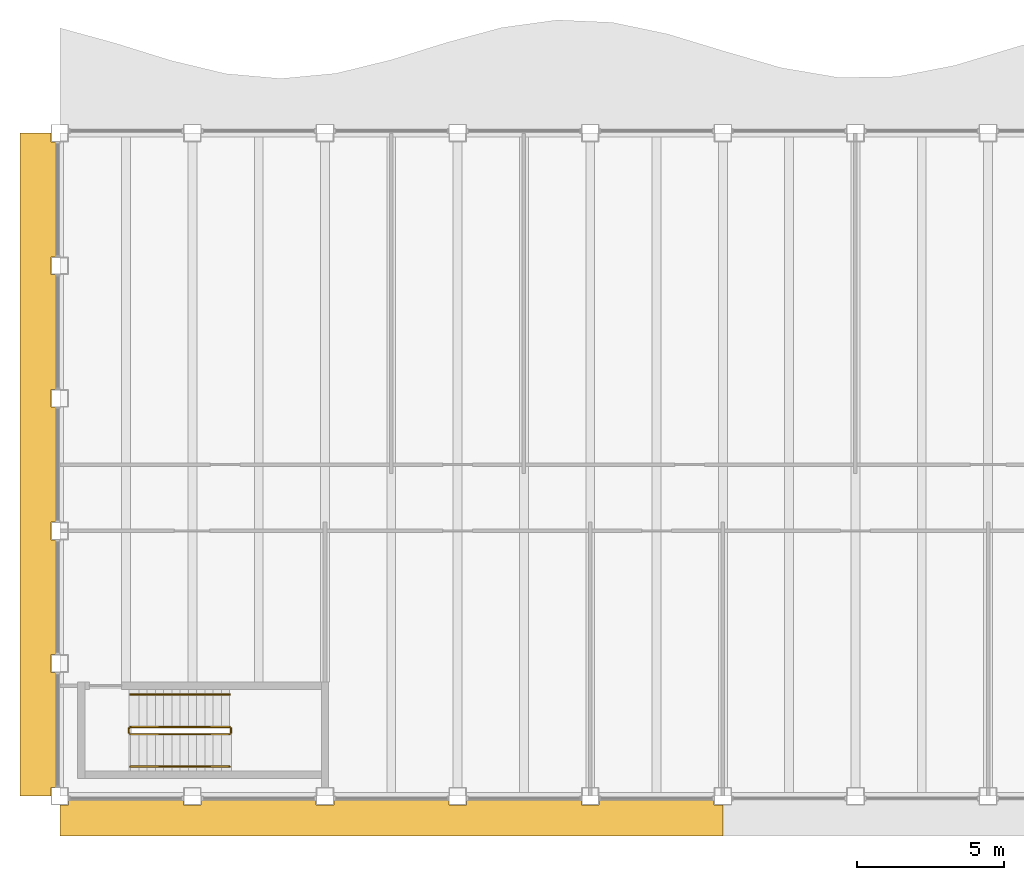
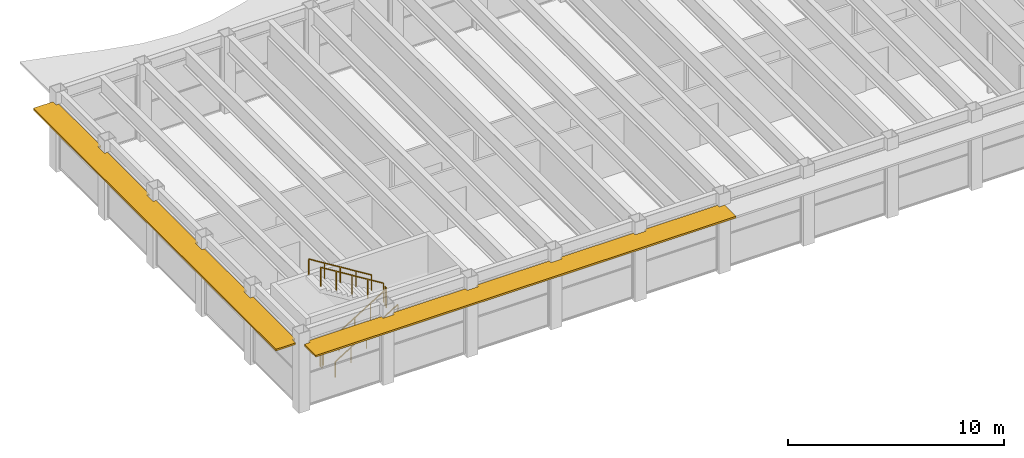
# One storey, part 12 of 14: 6 railings, 2 shading devices.
"""IFC4 building model written with IfcOpenShell, lengths in metres."""

import ifcopenshell
import ifcopenshell.guid

model = None  # the IFC model being written
_history = None  # IfcOwnerHistory: only IFC2X3 demands one
_inside = {}  # id of a spatial element -> (the spatial element, [elements in it])
_under = {}  # id of a project, library or spatial element -> (it, [spatial elements below it])
_declared = {}  # id of a project -> (the project, [libraries it declares])
_typed = {}  # id of a type object -> (the type object, [elements of that type])
_made_of = {}  # id of a material, layer set ... -> (it, [elements and type objects made of it])


def new_model(schema):
    """Start an empty IFC model of exactly this schema.

    Asked for "IFC4X3", IfcOpenShell would pick the latest addendum, in which some entities
    have other attributes; the version numbers below select the first issue.
    IFC2X3 requires an IfcOwnerHistory on every rooted entity: one is made here for all.
    """
    global model, _history
    if schema == "IFC4X3":
        model = ifcopenshell.file(schema_version=(4, 3, 0, 0))
    else:
        model = ifcopenshell.file(schema=schema)
    _inside.clear()
    _under.clear()
    _declared.clear()
    _typed.clear()
    _made_of.clear()
    _history = None
    if model.schema == "IFC2X3":
        org = make("IfcOrganization", Name="unknown")
        user = make(
            "IfcPersonAndOrganization",
            ThePerson=make("IfcPerson", FamilyName="unknown"),
            TheOrganization=org,
        )
        app = make(
            "IfcApplication",
            ApplicationDeveloper=org,
            Version="unknown",
            ApplicationFullName="unknown",
            ApplicationIdentifier="unknown",
        )
        _history = make(
            "IfcOwnerHistory",
            OwningUser=user,
            OwningApplication=app,
            ChangeAction="ADDED",
            CreationDate=0,
        )
    return model


def make(cls, **values):
    """One entity of the class cls with the attributes given. An attribute that is None is left unset."""
    return model.create_entity(
        cls, **{name: value for name, value in values.items() if value is not None}
    )


def rooted(cls, **values):
    """An entity with a GlobalId (a new one), such as an element, a storey or a relation."""
    return make(cls, GlobalId=ifcopenshell.guid.new(), OwnerHistory=_history, **values)


def si_unit(unit_type, name, prefix=None):
    """IfcSIUnit, for example si_unit("LENGTHUNIT", "METRE", prefix="MILLI")."""
    return make("IfcSIUnit", UnitType=unit_type, Prefix=prefix, Name=name)


def assignment(units):
    """IfcUnitAssignment: the units of a project."""
    return None if units is None else make("IfcUnitAssignment", Units=units)


def point(xyz):
    """IfcCartesianPoint."""
    return None if xyz is None else make("IfcCartesianPoint", Coordinates=xyz)


def direction(xyz):
    """IfcDirection."""
    return None if xyz is None else make("IfcDirection", DirectionRatios=xyz)


def frame(location, z_axis=None, x_axis=None):
    """IfcAxis2Placement3D, a coordinate frame: its origin and axes. An axis left out is left unset."""
    return make(
        "IfcAxis2Placement3D",
        Location=point(location),
        Axis=direction(z_axis),
        RefDirection=direction(x_axis),
    )


def frame_2d(location, x_axis=None):
    """IfcAxis2Placement2D, a coordinate frame in the plane: its origin and x axis."""
    return make(
        "IfcAxis2Placement2D", Location=point(location), RefDirection=direction(x_axis)
    )


def origin():
    """The frame at (0, 0, 0) with its axes left unset."""
    return frame((0.0, 0.0, 0.0))


def origin_2d():
    """The frame at (0, 0) in the plane with its x axis left unset."""
    return frame_2d((0.0, 0.0))


def place(relative_to, where):
    """IfcLocalPlacement: puts the frame where relative to a parent placement (None: the world)."""
    return make(
        "IfcLocalPlacement", PlacementRelTo=relative_to, RelativePlacement=where
    )


def context(
    kind, dimensions, precision=None, world=None, true_north=None, identifier=None
):
    """IfcGeometricRepresentationContext, for example the 3D "Model" context."""
    return make(
        "IfcGeometricRepresentationContext",
        ContextIdentifier=identifier,
        ContextType=kind,
        CoordinateSpaceDimension=dimensions,
        Precision=precision,
        WorldCoordinateSystem=world,
        TrueNorth=true_north,
    )


def subcontext(parent, identifier, kind, view, scale=None):
    """IfcGeometricRepresentationSubContext, for example "Body" below "Model"."""
    return make(
        "IfcGeometricRepresentationSubContext",
        ContextIdentifier=identifier,
        ContextType=kind,
        ParentContext=parent,
        TargetScale=scale,
        TargetView=view,
    )


def project(units=None, contexts=None):
    """IfcProject with its units and contexts."""
    return rooted(
        "IfcProject",
        Name="project",
        RepresentationContexts=contexts,
        UnitsInContext=assignment(units),
    )


def spatial(cls, under=None, at=None, **own):
    """A site, building, storey or space (cls), placed at a placement, below another one or the project."""
    s = rooted(cls, ObjectPlacement=at, **own)
    if under is not None:
        _under.setdefault(under.id(), (under, []))[1].append(s)
    return s


def polyline(points):
    """IfcPolyline through the points."""
    return make("IfcPolyline", Points=[point(p) for p in points])


def profile(cls, at=None, kind="AREA", **sizes):
    """A parametric profile (cls). Its sizes go by their IFC names, for example OverallWidth=200.0."""
    return make(cls, ProfileType=kind, Position=at, **sizes)


def rectangle(**sizes):
    """IfcRectangleProfileDef."""
    return profile("IfcRectangleProfileDef", **sizes)


def outline(outer, holes=None, kind="AREA"):
    """IfcArbitraryClosedProfileDef: a profile drawn as a closed curve; with holes, ...WithVoids."""
    if holes is None:
        return make("IfcArbitraryClosedProfileDef", ProfileType=kind, OuterCurve=outer)
    return make(
        "IfcArbitraryProfileDefWithVoids",
        ProfileType=kind,
        OuterCurve=outer,
        InnerCurves=holes,
    )


def extrude(swept, where, along, depth):
    """IfcExtrudedAreaSolid: the profile swept, set in the frame where, extruded along a direction by depth."""
    return make(
        "IfcExtrudedAreaSolid",
        SweptArea=swept,
        Position=where,
        ExtrudedDirection=direction(along),
        Depth=depth,
    )


def shape(context_of_items, identifier, shape_type, items):
    """IfcShapeRepresentation: the items that make up one representation, for example the "Body"."""
    return make(
        "IfcShapeRepresentation",
        ContextOfItems=context_of_items,
        RepresentationIdentifier=identifier,
        RepresentationType=shape_type,
        Items=items,
    )


def material(Name=None, Category=None):
    """IfcMaterial."""
    return make("IfcMaterial", Name=Name, Category=Category)


def layer(
    of_material, thickness, ventilated=None, Name=None, Category=None, Priority=None
):
    """IfcMaterialLayer: one layer of a wall or slab, of a material (None: an air gap)."""
    return make(
        "IfcMaterialLayer",
        Material=of_material,
        LayerThickness=thickness,
        IsVentilated=ventilated,
        Name=Name,
        Category=Category,
        Priority=Priority,
    )


def layer_set(layers, Name=None):
    """IfcMaterialLayerSet."""
    return make("IfcMaterialLayerSet", MaterialLayers=layers, LayerSetName=Name)


def made_of(thing, what):
    """Note that an element or type object is made of a material, layer set ...; save() writes the relation."""
    if what is not None:
        _made_of.setdefault(what.id(), (what, []))[1].append(thing)
    return thing


def type_object(cls, material=None, **own):
    """A type object (cls), such as IfcWallType, which elements share."""
    return made_of(rooted(cls, **own), material)


def element(
    cls,
    number,
    at=None,
    inside=None,
    cuts=None,
    type_object=None,
    material=None,
    context=None,
    identifier="Body",
    shape_type=None,
    held_by="IfcProductDefinitionShape",
    body=None,
    shapes=None,
    **own,
):
    """One element of the class cls, such as IfcWall. Its Tag is "e" and its number.

    at: its placement. inside: the storey or other place that contains it. cuts: it is an
    opening in that element (IfcRelVoidsElement). A single representation is given by context,
    identifier, shape_type and body (its items); several are given by shapes. held_by: the class
    of the entity that holds the representations. save() writes the other relations.
    """
    e = rooted(cls, Tag="e%d" % number, ObjectPlacement=at, **own)
    if body is not None:
        shapes = [shape(context, identifier, shape_type, body)]
    if shapes is not None:
        e.Representation = make(held_by, Representations=shapes)
    if inside is not None:
        _inside.setdefault(inside.id(), (inside, []))[1].append(e)
    if cuts is not None:
        rooted(
            "IfcRelVoidsElement", RelatingBuildingElement=cuts, RelatedOpeningElement=e
        )
    if type_object is not None:
        _typed.setdefault(type_object.id(), (type_object, []))[1].append(e)
    return made_of(e, material)


def aggregate(whole, parts):
    """IfcRelAggregates: a whole, such as a stair, and the parts it consists of."""
    return rooted("IfcRelAggregates", RelatingObject=whole, RelatedObjects=parts)


def save(model, path):
    """Write the relations noted so far, then the file.

    IfcRelAggregates (storeys below a building ...), IfcRelContainedInSpatialStructure (elements
    in a storey), IfcRelDefinesByType, IfcRelAssociatesMaterial and IfcRelDeclares: one each for
    every whole, place, type object, material and project.
    """
    for whole, parts in _under.values():
        aggregate(whole, parts)
    for where, things in _inside.values():
        rooted(
            "IfcRelContainedInSpatialStructure",
            RelatedElements=things,
            RelatingStructure=where,
        )
    for kind, things in _typed.values():
        rooted("IfcRelDefinesByType", RelatedObjects=things, RelatingType=kind)
    for what, things in _made_of.values():
        rooted("IfcRelAssociatesMaterial", RelatedObjects=things, RelatingMaterial=what)
    for by, libraries in _declared.values():
        rooted("IfcRelDeclares", RelatingContext=by, RelatedDefinitions=libraries)
    model.write(path)


model = new_model("IFC4")

# Units and contexts
model_context = context("Model", 3, precision=1e-05, world=origin(), true_north=direction((0.0, 1.0)))
body_context = subcontext(model_context, "Body", "Model", "MODEL_VIEW")
ifc_project = project(units=[si_unit("LENGTHUNIT", "METRE"), si_unit("AREAUNIT", "SQUARE_METRE"), si_unit("VOLUMEUNIT", "CUBIC_METRE"), si_unit("PLANEANGLEUNIT", "RADIAN"), si_unit("MASSUNIT", "GRAM", prefix="KILO")], contexts=[model_context])

# Site, building, storey
site_placement = place(None, origin())
site = spatial("IfcSite", under=ifc_project, at=site_placement, CompositionType="ELEMENT")
building_placement = place(site_placement, origin())
building = spatial("IfcBuilding", under=site, at=building_placement, Name="Sennacour Bend Tower", CompositionType="ELEMENT")
storey_placement = place(building_placement, frame((0.0, 0.0, 314.0)))
storey = spatial("IfcBuildingStorey", under=building, at=storey_placement, Name="L72", CompositionType="ELEMENT", Elevation=314.0)

# Railings
ifc_material_1 = material(Name="Stainless steel", Category="steel")
railing_type_1 = type_object("IfcRailingType", Name="RL-GUARD-1100", PredefinedType="GUARDRAIL", material=ifc_material_1)
railing_1_placement = place(storey_placement, frame((2.39990234375, 2.10009765625, 0.173095703125)))
element("IfcRailing", 1, at=railing_1_placement, inside=storey, type_object=railing_type_1, Name="L72 SK1 stair guard 1", PredefinedType="GUARDRAIL", context=body_context, shape_type="SweptSolid", body=[
    extrude(rectangle(XDim=0.048095703125, YDim=0.048095703125, at=origin_2d()), frame((0.0, 0.0, 1.076171875), z_axis=(0.850623216509, 0.0, 0.525775754039), x_axis=(0.0, 1.0, 0.0)), (0.0, 0.0, 1.0), 3.9501953125),
    extrude(rectangle(XDim=0.0419921875, YDim=0.0419921875, at=origin_2d()), origin(), (0.0, 0.0, 1.0), 1.052001953125),
    extrude(rectangle(XDim=0.0419921875, YDim=0.0419921875, at=origin_2d()), frame((0.840087890625, 0.0, 0.519287109375)), (0.0, 0.0, 1.0), 1.052001953125),
    extrude(rectangle(XDim=0.0419921875, YDim=0.0419921875, at=origin_2d()), frame((1.68017578125, 0.0, 1.03857421875)), (0.0, 0.0, 1.0), 1.052001953125),
    extrude(rectangle(XDim=0.0419921875, YDim=0.0419921875, at=origin_2d()), frame((2.52001953125, 0.0, 1.5576171875)), (0.0, 0.0, 1.0), 1.052001953125),
    extrude(rectangle(XDim=0.0419921875, YDim=0.0419921875, at=origin_2d()), frame((3.360107421875, 0.0, 2.076904296875)), (0.0, 0.0, 1.0), 1.052001953125),
])
railing_2_placement = place(storey_placement, frame((5.81005859375, 2.14990234375, 2.25)))
element("IfcRailing", 2, at=railing_2_placement, inside=storey, type_object=railing_type_1, Name="L72 SK1 stair guard 2", PredefinedType="GUARDRAIL", context=body_context, shape_type="SweptSolid", body=[
    extrude(rectangle(XDim=0.048095703125, YDim=0.048095703125, at=origin_2d()), frame((0.0, 0.0, 1.076171875), z_axis=(0.0, 1.0, 0.0), x_axis=(-1.0, 0.0, 0.0)), (0.0, 0.0, 1.0), 0.150146484375),
    extrude(rectangle(XDim=0.0419921875, YDim=0.0419921875, at=origin_2d()), origin(), (0.0, 0.0, 1.0), 1.052001953125),
    extrude(rectangle(XDim=0.0419921875, YDim=0.0419921875, at=origin_2d()), frame((0.0, 0.150146484375, 0.0)), (0.0, 0.0, 1.0), 1.052001953125),
])
railing_3_placement = place(storey_placement, frame((5.760009765625, 2.35009765625, 2.423095703125)))
element("IfcRailing", 3, at=railing_3_placement, inside=storey, type_object=railing_type_1, Name="L72 SK1 stair guard 3", PredefinedType="GUARDRAIL", context=body_context, shape_type="SweptSolid", body=[
    extrude(rectangle(XDim=0.048095703125, YDim=0.048095703125, at=origin_2d()), frame((0.0, 0.0, 1.076171875), z_axis=(-0.850623216509, 0.0, 0.525775754039), x_axis=(0.0, -1.0, 0.0)), (0.0, 0.0, 1.0), 3.9501953125),
    extrude(rectangle(XDim=0.0419921875, YDim=0.0419921875, at=origin_2d()), origin(), (0.0, 0.0, 1.0), 1.052001953125),
    extrude(rectangle(XDim=0.0419921875, YDim=0.0419921875, at=origin_2d()), frame((-0.840087890625, 0.0, 0.519287109375)), (0.0, 0.0, 1.0), 1.052001953125),
    extrude(rectangle(XDim=0.0419921875, YDim=0.0419921875, at=origin_2d()), frame((-1.68017578125, 0.0, 1.03857421875)), (0.0, 0.0, 1.0), 1.052001953125),
    extrude(rectangle(XDim=0.0419921875, YDim=0.0419921875, at=origin_2d()), frame((-2.52001953125, 0.0, 1.5576171875)), (0.0, 0.0, 1.0), 1.052001953125),
    extrude(rectangle(XDim=0.0419921875, YDim=0.0419921875, at=origin_2d()), frame((-3.360107421875, 0.0, 2.076904296875)), (0.0, 0.0, 1.0), 1.052001953125),
])
railing_4_placement = place(storey_placement, frame((2.35009765625, 2.14990234375, 0.0)))
element("IfcRailing", 4, at=railing_4_placement, inside=storey, type_object=railing_type_1, Name="L72 SK1 stair guard 4", PredefinedType="GUARDRAIL", context=body_context, shape_type="SweptSolid", body=[
    extrude(rectangle(XDim=0.048095703125, YDim=0.048095703125, at=origin_2d()), frame((0.0, 0.0, 1.076171875), z_axis=(0.0, 1.0, 0.0), x_axis=(-1.0, 0.0, 0.0)), (0.0, 0.0, 1.0), 0.150146484375),
    extrude(rectangle(XDim=0.0419921875, YDim=0.0419921875, at=origin_2d()), origin(), (0.0, 0.0, 1.0), 1.052001953125),
    extrude(rectangle(XDim=0.0419921875, YDim=0.0419921875, at=origin_2d()), frame((0.0, 0.150146484375, 0.0)), (0.0, 0.0, 1.0), 1.052001953125),
])
railing_type_2 = type_object("IfcRailingType", Name="RL-HANDRAIL-900", PredefinedType="HANDRAIL", material=ifc_material_1)
railing_5_placement = place(storey_placement, frame((2.39990234375, 1.0, 0.173095703125)))
element("IfcRailing", 5, at=railing_5_placement, inside=storey, type_object=railing_type_2, Name="L72 SK1 stair handrail 1", PredefinedType="HANDRAIL", context=body_context, shape_type="SweptSolid", body=[
    extrude(rectangle(XDim=0.048095703125, YDim=0.048095703125, at=origin_2d()), frame((0.0, 0.0, 0.8759765625), z_axis=(0.850623216509, 0.0, 0.525775754039), x_axis=(0.0, 1.0, 0.0)), (0.0, 0.0, 1.0), 3.9501953125),
    extrude(rectangle(XDim=0.0419921875, YDim=0.0419921875, at=origin_2d()), origin(), (0.0, 0.0, 1.0), 0.851806640625),
    extrude(rectangle(XDim=0.0419921875, YDim=0.0419921875, at=origin_2d()), frame((0.840087890625, 0.0, 0.519287109375)), (0.0, 0.0, 1.0), 0.851806640625),
    extrude(rectangle(XDim=0.0419921875, YDim=0.0419921875, at=origin_2d()), frame((1.68017578125, 0.0, 1.03857421875)), (0.0, 0.0, 1.0), 0.851806640625),
    extrude(rectangle(XDim=0.0419921875, YDim=0.0419921875, at=origin_2d()), frame((2.52001953125, 0.0, 1.5576171875)), (0.0, 0.0, 1.0), 0.851806640625),
    extrude(rectangle(XDim=0.0419921875, YDim=0.0419921875, at=origin_2d()), frame((3.360107421875, 0.0, 2.076904296875)), (0.0, 0.0, 1.0), 0.851806640625),
])
railing_6_placement = place(storey_placement, frame((5.760009765625, 3.449951171875, 2.423095703125)))
element("IfcRailing", 6, at=railing_6_placement, inside=storey, type_object=railing_type_2, Name="L72 SK1 stair handrail 2", PredefinedType="HANDRAIL", context=body_context, shape_type="SweptSolid", body=[
    extrude(rectangle(XDim=0.048095703125, YDim=0.048095703125, at=origin_2d()), frame((0.0, 0.0, 0.8759765625), z_axis=(-0.850623216509, 0.0, 0.525775754039), x_axis=(0.0, -1.0, 0.0)), (0.0, 0.0, 1.0), 3.9501953125),
    extrude(rectangle(XDim=0.0419921875, YDim=0.0419921875, at=origin_2d()), origin(), (0.0, 0.0, 1.0), 0.851806640625),
    extrude(rectangle(XDim=0.0419921875, YDim=0.0419921875, at=origin_2d()), frame((-0.840087890625, 0.0, 0.519287109375)), (0.0, 0.0, 1.0), 0.851806640625),
    extrude(rectangle(XDim=0.0419921875, YDim=0.0419921875, at=origin_2d()), frame((-1.68017578125, 0.0, 1.03857421875)), (0.0, 0.0, 1.0), 0.851806640625),
    extrude(rectangle(XDim=0.0419921875, YDim=0.0419921875, at=origin_2d()), frame((-2.52001953125, 0.0, 1.5576171875)), (0.0, 0.0, 1.0), 0.851806640625),
    extrude(rectangle(XDim=0.0419921875, YDim=0.0419921875, at=origin_2d()), frame((-3.360107421875, 0.0, 2.076904296875)), (0.0, 0.0, 1.0), 0.851806640625),
])

# Shading devices
ifc_material_2 = material(Name="Bronze anodised aluminium", Category="aluminium")
ifc_layer = layer(ifc_material_2, 0.10009765625, Name="Bronze anodised aluminium", Category="aluminium")
ifc_layer_set = layer_set([ifc_layer], Name="Bronze anodised aluminium")
shading_device_type = type_object("IfcShadingDeviceType", Name="SUNSHADE BAND STRAIGHT", PredefinedType="USERDEFINED", material=ifc_layer_set)
shading_device_1_placement = place(storey_placement, frame((0.0, 0.0, 3.572021484375)))
element("IfcShadingDevice", 7, at=shading_device_1_placement, inside=storey, type_object=shading_device_type, Name="Sunshade band L72 K outer face", ObjectType="SUNSHADE", PredefinedType="USERDEFINED", context=body_context, shape_type="SweptSolid", body=[
    extrude(outline(polyline([(4.199951171875, -0.14990234375), (4.199951171875, -0.300048828125), (4.800048828125, -0.300048828125), (4.800048828125, -0.14990234375), (8.699951171875, -0.14990234375), (8.699951171875, -0.300048828125), (9.300048828125, -0.300048828125), (9.300048828125, -0.14990234375), (13.199951171875, -0.14990234375), (13.199951171875, -0.300048828125), (13.800048828125, -0.300048828125), (13.800048828125, -0.14990234375), (17.699951171875, -0.14990234375), (17.699951171875, -0.300048828125), (18.300048828125, -0.300048828125), (18.300048828125, -0.14990234375), (22.199951171875, -0.14990234375), (22.199951171875, -0.300048828125), (22.5, -0.300048828125), (22.5, -1.35009765625), (0.0, -1.35009765625), (0.0, -0.300048828125), (0.300048828125, -0.300048828125), (0.300048828125, -0.14990234375), (4.199951171875, -0.14990234375)])), origin(), (0.0, 0.0, 1.0), 0.10009765625),
])
shading_device_2_placement = place(storey_placement, frame((0.0, 0.0, 3.572021484375)))
element("IfcShadingDevice", 8, at=shading_device_2_placement, inside=storey, type_object=shading_device_type, Name="Sunshade band L72 K outer face", ObjectType="SUNSHADE", PredefinedType="USERDEFINED", context=body_context, shape_type="SweptSolid", body=[
    extrude(outline(polyline([(-0.14990234375, 18.300048828125), (-0.300048828125, 18.300048828125), (-0.300048828125, 17.699951171875), (-0.14990234375, 17.699951171875), (-0.14990234375, 13.800048828125), (-0.300048828125, 13.800048828125), (-0.300048828125, 13.199951171875), (-0.14990234375, 13.199951171875), (-0.14990234375, 9.300048828125), (-0.300048828125, 9.300048828125), (-0.300048828125, 8.699951171875), (-0.14990234375, 8.699951171875), (-0.14990234375, 4.800048828125), (-0.300048828125, 4.800048828125), (-0.300048828125, 4.199951171875), (-0.14990234375, 4.199951171875), (-0.14990234375, 0.300048828125), (-0.300048828125, 0.300048828125), (-0.300048828125, 0.0), (-1.35009765625, 0.0), (-1.35009765625, 22.5), (-0.300048828125, 22.5), (-0.300048828125, 22.199951171875), (-0.14990234375, 22.199951171875), (-0.14990234375, 18.300048828125)])), origin(), (0.0, 0.0, 1.0), 0.10009765625),
])

save(model, "model.ifc")
